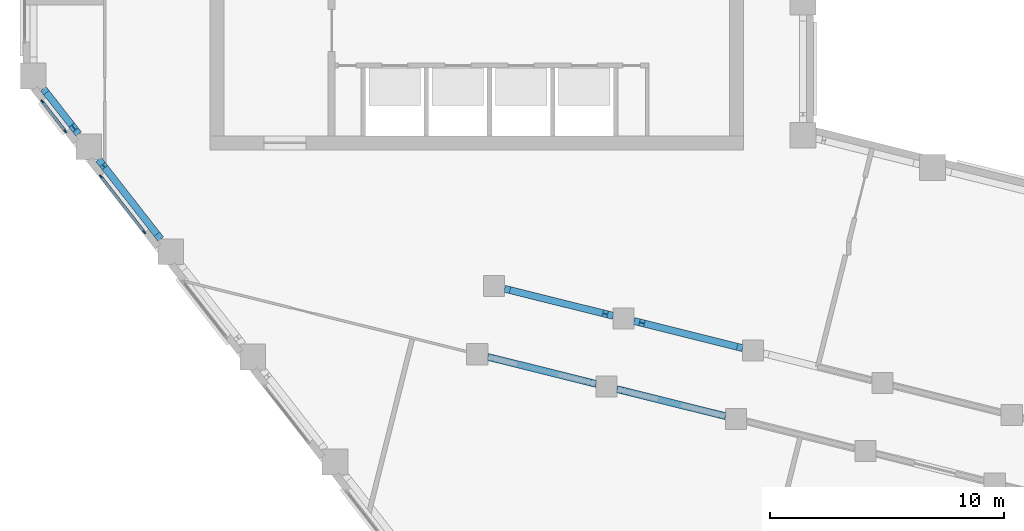
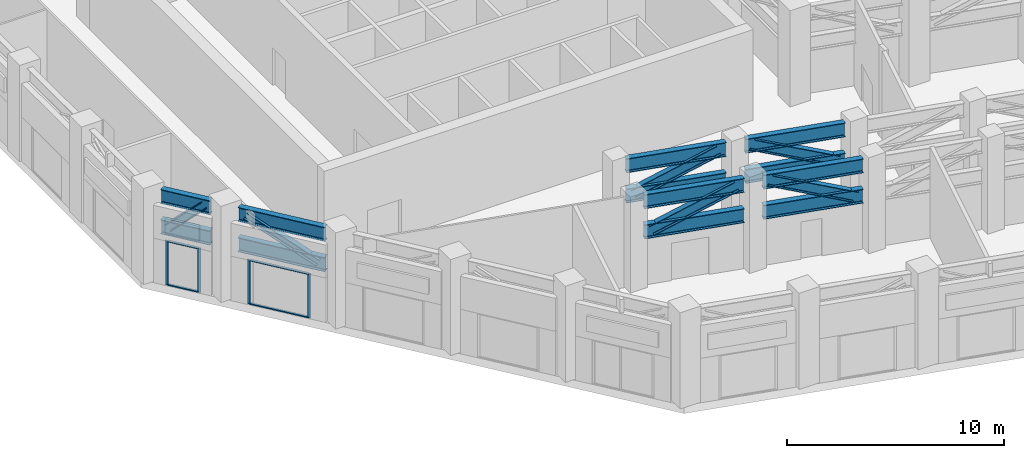
# One storey, part 3 of 21: 14 members, 12 beams, 2 elements without a shape of their own.
"""IFC4 building model written with IfcOpenShell, lengths in metres."""

from ifc_helpers import new_model, si_unit, direction, frame, origin, origin_2d, place, context, subcontext, project, spatial, rectangle, i_section, extrude, material, material_profile, profile_set, type_object, element, aggregate, save


model = new_model("IFC4")

# Units and contexts
model_context = context("Model", 3, precision=1e-05, world=origin(), true_north=direction((0.0, 1.0)))
body_context = subcontext(model_context, "Body", "Model", "MODEL_VIEW")
ifc_project = project(units=[si_unit("LENGTHUNIT", "METRE"), si_unit("AREAUNIT", "SQUARE_METRE"), si_unit("VOLUMEUNIT", "CUBIC_METRE"), si_unit("PLANEANGLEUNIT", "RADIAN"), si_unit("MASSUNIT", "GRAM", prefix="KILO")], contexts=[model_context])

# Site, building, storey
site_placement = place(None, origin())
site = spatial("IfcSite", under=ifc_project, at=site_placement, CompositionType="ELEMENT")
building_placement = place(site_placement, origin())
building = spatial("IfcBuilding", under=site, at=building_placement, Name="Meshkara Civic Tower", CompositionType="ELEMENT")
storey_placement = place(building_placement, frame((0.0, 0.0, 284.39990234375)))
storey = spatial("IfcBuildingStorey", under=building, at=storey_placement, Name="L65", CompositionType="ELEMENT", Elevation=284.39990234375)

# Beams
ifc_material_1 = material(Name="Steel S355", Category="steel")
ifc_material_profile_1 = material_profile(ifc_material_1, i_section(OverallWidth=0.300048828125, OverallDepth=0.800048828125, WebThickness=0.017578125, FlangeThickness=0.032958984375, FilletRadius=0.030029296875, at=origin_2d()))
ifc_profile_set_1 = profile_set([ifc_material_profile_1], Name="Steel S355")
beam_type_1 = type_object("IfcBeamType", Name="Belt truss chord HEB 800 S355", PredefinedType="BEAM", material=ifc_profile_set_1)
for number, where, z_axis, x_axis, name in (
    (1, (0.876708984375, 16.708984375, 4.7001953125), (0.615626666257, -0.788037948194, 0.0), (0.788037948194, 0.615626666257, 0.0), "Belt truss chord BAW00-BOW04"),
    (2, (0.876708984375, 16.708984375, 3.0), (0.615626666257, -0.788037948194, 0.0), (0.788037948194, 0.615626666257, 0.0), "Belt truss chord BAW00-BOW04"),
):
    element("IfcBeam", number, at=place(storey_placement, frame(where, z_axis=z_axis, x_axis=x_axis)), inside=storey, type_object=beam_type_1, Name=name, PredefinedType="BEAM", context=body_context, shape_type="SweptSolid", body=[
        extrude(i_section(OverallWidth=0.300048828125, OverallDepth=0.800048828125, WebThickness=0.017578125, FlangeThickness=0.032958984375, FilletRadius=0.030029296875, at=origin_2d()), origin(), (0.0, 0.0, 1.0), 2.4541015625),
    ])
for number, where, z_axis, x_axis, name in (
    (3, (3.240478515625, 13.682861328125, 4.7001953125), (0.615647336498, -0.788021799865, 0.0), (0.788021799865, 0.615647336498, 0.0), "Belt truss chord BBOW04-BOW03"),
    (4, (3.240478515625, 13.682861328125, 3.0), (0.615647336498, -0.788021799865, 0.0), (0.788021799865, 0.615647336498, 0.0), "Belt truss chord BBOW04-BOW03"),
):
    element("IfcBeam", number, at=place(storey_placement, frame(where, z_axis=z_axis, x_axis=x_axis)), inside=storey, type_object=beam_type_1, Name=name, PredefinedType="BEAM", context=body_context, shape_type="SweptSolid", body=[
        extrude(i_section(OverallWidth=0.300048828125, OverallDepth=0.800048828125, WebThickness=0.017578125, FlangeThickness=0.032958984375, FilletRadius=0.030029296875, at=origin_2d()), origin(), (0.0, 0.0, 1.0), 4.314208984375),
    ])

# Curtain wall, members
ifc_material_2 = material(Name="Tinted double glazing", Category="glass")
curtain_wall_type = type_object("IfcCurtainWallType", Name="CW SKY LOBBY BAND", PredefinedType="NOTDEFINED", material=ifc_material_2)
curtain_wall_1_placement = place(storey_placement, origin())
curtain_wall_1 = element("IfcCurtainWall", 5, at=curtain_wall_1_placement, inside=storey, type_object=curtain_wall_type, Name="Curtain wall CW2", PredefinedType="NOTDEFINED")
ifc_material_3 = material(Name="Bronze anodised aluminium", Category="aluminium")
ifc_material_profile_2 = material_profile(ifc_material_3, rectangle(XDim=0.06005859375, YDim=0.159912109375, at=origin_2d()))
ifc_profile_set_2 = profile_set([ifc_material_profile_2], Name="Bronze anodised aluminium")
member_type_1 = type_object("IfcMemberType", Name="CW MULLION 60x160", PredefinedType="MULLION", material=ifc_profile_set_2)
member_1_placement = place(storey_placement, frame((0.83154296875, 16.165283203125, 0.0), z_axis=(0.0, 0.0, 1.0), x_axis=(0.787960681571, 0.615725559237, 0.0)))
member_1 = element("IfcMember", 6, at=member_1_placement, type_object=member_type_1, Name="CW2 mullion 1", PredefinedType="MULLION", context=body_context, shape_type="SweptSolid", body=[
    extrude(rectangle(XDim=0.06005859375, YDim=0.159912109375, at=origin_2d()), origin(), (0.0, 0.0, 1.0), 2.5),
])
member_2_placement = place(storey_placement, frame((1.820556640625, 14.899658203125, 0.0), z_axis=(0.0, 0.0, 1.0), x_axis=(0.787960681571, 0.615725559237, 0.0)))
member_2 = element("IfcMember", 7, at=member_2_placement, type_object=member_type_1, Name="CW2 mullion 2", PredefinedType="MULLION", context=body_context, shape_type="SweptSolid", body=[
    extrude(rectangle(XDim=0.06005859375, YDim=0.159912109375, at=origin_2d()), origin(), (0.0, 0.0, 1.0), 2.5),
])

curtain_wall_2_placement = place(storey_placement, origin())
curtain_wall_2 = element("IfcCurtainWall", 8, at=curtain_wall_2_placement, inside=storey, type_object=curtain_wall_type, Name="Curtain wall CW2", PredefinedType="NOTDEFINED")
member_3_placement = place(storey_placement, frame((3.33837890625, 12.957275390625, 0.0), z_axis=(0.0, 0.0, 1.0), x_axis=(0.788014475653, 0.615656711294, 0.0)))
member_3 = element("IfcMember", 9, at=member_3_placement, type_object=member_type_1, Name="CW2 mullion 1", PredefinedType="MULLION", context=body_context, shape_type="SweptSolid", body=[
    extrude(rectangle(XDim=0.06005859375, YDim=0.159912109375, at=origin_2d()), origin(), (0.0, 0.0, 1.0), 2.5),
])
member_4_placement = place(storey_placement, frame((5.1875, 10.590576171875, 0.0), z_axis=(0.0, 0.0, 1.0), x_axis=(0.788014475653, 0.615656711294, 0.0)))
member_4 = element("IfcMember", 10, at=member_4_placement, type_object=member_type_1, Name="CW2 mullion 2", PredefinedType="MULLION", context=body_context, shape_type="SweptSolid", body=[
    extrude(rectangle(XDim=0.06005859375, YDim=0.159912109375, at=origin_2d()), origin(), (0.0, 0.0, 1.0), 2.5),
])

# Member
ifc_material_4 = material(Name="Bronze anodised aluminium", Category="aluminium")
ifc_material_profile_3 = material_profile(ifc_material_4, rectangle(XDim=0.1201171875, YDim=0.06005859375, at=origin_2d()))
ifc_profile_set_3 = profile_set([ifc_material_profile_3], Name="Bronze anodised aluminium")
member_type_2 = type_object("IfcMemberType", Name="CW TRANSOM 60x120", PredefinedType="USERDEFINED", material=ifc_profile_set_3)
member_5_placement = place(storey_placement, frame((0.849853515625, 16.1416015625, 0.030029296875), z_axis=(0.615797235166, -0.787904667559, 0.0), x_axis=(0.787904667559, 0.615797235166, 0.0)))
member_5 = element("IfcMember", 11, at=member_5_placement, type_object=member_type_2, Name="CW2 transom 1.1", ObjectType="TRANSOM", PredefinedType="USERDEFINED", context=body_context, shape_type="SweptSolid", body=[
    extrude(rectangle(XDim=0.1201171875, YDim=0.06005859375, at=origin_2d()), origin(), (0.0, 0.0, 1.0), 1.546142578125),
])

member_6_placement = place(storey_placement, frame((0.849853515625, 16.1416015625, 2.47021484375), z_axis=(0.615797235166, -0.787904667559, 0.0), x_axis=(0.787904667559, 0.615797235166, 0.0)))
member_6 = element("IfcMember", 12, at=member_6_placement, type_object=member_type_2, Name="CW2 transom 1.2", ObjectType="TRANSOM", PredefinedType="USERDEFINED", context=body_context, shape_type="SweptSolid", body=[
    extrude(rectangle(XDim=0.1201171875, YDim=0.06005859375, at=origin_2d()), origin(), (0.0, 0.0, 1.0), 1.546142578125),
])

aggregate(curtain_wall_1, [member_1, member_2, member_5, member_6])

member_7_placement = place(storey_placement, frame((3.35693359375, 12.933837890625, 0.030029296875), z_axis=(0.615610240098, -0.788050780271, 0.0), x_axis=(0.788050780271, 0.615610240098, 0.0)))
member_7 = element("IfcMember", 13, at=member_7_placement, type_object=member_type_2, Name="CW2 transom 1.1", ObjectType="TRANSOM", PredefinedType="USERDEFINED", context=body_context, shape_type="SweptSolid", body=[
    extrude(rectangle(XDim=0.1201171875, YDim=0.06005859375, at=origin_2d()), origin(), (0.0, 0.0, 1.0), 2.943359375),
])

member_8_placement = place(storey_placement, frame((3.35693359375, 12.933837890625, 2.47021484375), z_axis=(0.615610240098, -0.788050780271, 0.0), x_axis=(0.788050780271, 0.615610240098, 0.0)))
member_8 = element("IfcMember", 14, at=member_8_placement, type_object=member_type_2, Name="CW2 transom 1.2", ObjectType="TRANSOM", PredefinedType="USERDEFINED", context=body_context, shape_type="SweptSolid", body=[
    extrude(rectangle(XDim=0.1201171875, YDim=0.06005859375, at=origin_2d()), origin(), (0.0, 0.0, 1.0), 2.943359375),
])

aggregate(curtain_wall_2, [member_3, member_4, member_7, member_8])

# Beams
ifc_material_5 = material(Name="Steel S355", Category="steel")
ifc_material_profile_4 = material_profile(ifc_material_5, i_section(OverallWidth=0.300048828125, OverallDepth=0.7900390625, WebThickness=0.014892578125, FlangeThickness=0.028076171875, FilletRadius=0.030029296875, at=origin_2d()))
ifc_profile_set_4 = profile_set([ifc_material_profile_4], Name="Steel S355")
beam_type_2 = type_object("IfcBeamType", Name="Outrigger chord HEA 800 S355", PredefinedType="BEAM", material=ifc_profile_set_4)
for number, where, z_axis, x_axis, name in (
    (15, (19.869140625, 5.2490234375, 4.705078125), (0.970286489601, -0.241958938867, 0.0), (0.241958938867, 0.970286489601, 0.0), "Outrigger chord OSB1-SB1-00-SB1-01"),
    (16, (19.869140625, 5.2490234375, 3.005126953125), (0.970286489601, -0.241958938867, 0.0), (0.241958938867, 0.970286489601, 0.0), "Outrigger chord OSB1-SB1-00-SB1-01"),
):
    element("IfcBeam", number, at=place(storey_placement, frame(where, z_axis=z_axis, x_axis=x_axis)), inside=storey, type_object=beam_type_2, Name=name, PredefinedType="BEAM", context=body_context, shape_type="SweptSolid", body=[
        extrude(i_section(OverallWidth=0.300048828125, OverallDepth=0.7900390625, WebThickness=0.014892578125, FlangeThickness=0.028076171875, FilletRadius=0.030029296875, at=origin_2d()), origin(), (0.0, 0.0, 1.0), 4.78173828125),
    ])
for number, where, z_axis, x_axis, name in (
    (17, (25.399169921875, 3.8701171875, 4.705078125), (0.970286459332, -0.24195906025, 0.0), (0.24195906025, 0.970286459332, 0.0), "Outrigger chord OSB1-SB1-01-SB1-02"),
    (18, (25.399169921875, 3.8701171875, 3.005126953125), (0.970286459332, -0.24195906025, 0.0), (0.24195906025, 0.970286459332, 0.0), "Outrigger chord OSB1-SB1-01-SB1-02"),
):
    element("IfcBeam", number, at=place(storey_placement, frame(where, z_axis=z_axis, x_axis=x_axis)), inside=storey, type_object=beam_type_2, Name=name, PredefinedType="BEAM", context=body_context, shape_type="SweptSolid", body=[
        extrude(i_section(OverallWidth=0.300048828125, OverallDepth=0.7900390625, WebThickness=0.014892578125, FlangeThickness=0.028076171875, FilletRadius=0.030029296875, at=origin_2d()), origin(), (0.0, 0.0, 1.0), 4.78271484375),
    ])
for number, where, z_axis, x_axis, name in (
    (19, (20.593994140625, 8.159912109375, 4.705078125), (0.970301429476, -0.241899020164, 0.0), (0.241899020164, 0.970301429476, 0.0), "Outrigger chord OSB2-SB2-00-SB2-01"),
    (20, (20.593994140625, 8.159912109375, 3.005126953125), (0.970301429476, -0.241899020164, 0.0), (0.241899020164, 0.970301429476, 0.0), "Outrigger chord OSB2-SB2-00-SB2-01"),
    (21, (26.125, 6.781005859375, 4.705078125), (0.970301429476, -0.241899020164, 0.0), (0.241899020164, 0.970301429476, 0.0), "Outrigger chord OSB2-SB2-01-SB2-02"),
    (22, (26.125, 6.781005859375, 3.005126953125), (0.970301429476, -0.241899020164, 0.0), (0.241899020164, 0.970301429476, 0.0), "Outrigger chord OSB2-SB2-01-SB2-02"),
):
    element("IfcBeam", number, at=place(storey_placement, frame(where, z_axis=z_axis, x_axis=x_axis)), inside=storey, type_object=beam_type_2, Name=name, PredefinedType="BEAM", context=body_context, shape_type="SweptSolid", body=[
        extrude(i_section(OverallWidth=0.300048828125, OverallDepth=0.7900390625, WebThickness=0.014892578125, FlangeThickness=0.028076171875, FilletRadius=0.030029296875, at=origin_2d()), origin(), (0.0, 0.0, 1.0), 4.782958984375),
    ])

# Members
ifc_material_6 = material(Name="Steel S355", Category="steel")
ifc_material_profile_5 = material_profile(ifc_material_6, i_section(OverallWidth=0.300048828125, OverallDepth=0.590087890625, WebThickness=0.012939453125, FlangeThickness=0.02490234375, FilletRadius=0.027099609375, at=origin_2d()))
ifc_profile_set_5 = profile_set([ifc_material_profile_5], Name="Steel S355")
member_type_3 = type_object("IfcMemberType", Name="Truss diagonal HEA 600 S355", PredefinedType="BRACE", material=ifc_profile_set_5)
member_9_placement = place(storey_placement, frame((20.208740234375, 5.164306640625, 3.005126953125), z_axis=(0.895711913073, -0.223348211588, 0.384468132827), x_axis=(0.241944484644, 0.970290093916, 0.0)))
element("IfcMember", 23, at=member_9_placement, inside=storey, type_object=member_type_3, Name="TD-OSB1-SB1-00-SB1-01-L65", PredefinedType="BRACE", context=body_context, shape_type="SweptSolid", body=[
    extrude(i_section(OverallWidth=0.300048828125, OverallDepth=0.590087890625, WebThickness=0.012939453125, FlangeThickness=0.02490234375, FilletRadius=0.027099609375, at=origin_2d()), origin(), (0.0, 0.0, 1.0), 4.421630859375),
])
member_10_placement = place(storey_placement, frame((25.73876953125, 3.785400390625, 4.705078125), z_axis=(0.895744521292, -0.223356485465, -0.384387347575), x_axis=(0.241944630404, 0.97029005757, 0.0)))
element("IfcMember", 24, at=member_10_placement, inside=storey, type_object=member_type_3, Name="TD-OSB1-SB1-01-SB1-02-L65", PredefinedType="BRACE", context=body_context, shape_type="SweptSolid", body=[
    extrude(i_section(OverallWidth=0.300048828125, OverallDepth=0.590087890625, WebThickness=0.012939453125, FlangeThickness=0.02490234375, FilletRadius=0.027099609375, at=origin_2d()), origin(), (0.0, 0.0, 1.0), 4.422607421875),
])
for number, where, z_axis, x_axis, name in (
    (25, (20.933837890625, 8.0751953125, 3.005126953125), (0.895755564869, -0.22330403426, 0.384392086663), (0.241888331142, 0.970304094219, 0.0), "TD-OSB2-SB2-00-SB2-01-L65"),
    (26, (26.46484375, 6.6962890625, 4.705078125), (0.895755564869, -0.22330403426, -0.384392086663), (0.241888331142, 0.970304094219, 0.0), "TD-OSB2-SB2-01-SB2-02-L65"),
):
    element("IfcMember", number, at=place(storey_placement, frame(where, z_axis=z_axis, x_axis=x_axis)), inside=storey, type_object=member_type_3, Name=name, PredefinedType="BRACE", context=body_context, shape_type="SweptSolid", body=[
        extrude(i_section(OverallWidth=0.300048828125, OverallDepth=0.590087890625, WebThickness=0.012939453125, FlangeThickness=0.02490234375, FilletRadius=0.027099609375, at=origin_2d()), origin(), (0.0, 0.0, 1.0), 4.42236328125),
    ])
ifc_material_7 = material(Name="Steel S355", Category="steel")
ifc_material_profile_6 = material_profile(ifc_material_7, i_section(OverallWidth=0.300048828125, OverallDepth=0.39990234375, WebThickness=0.013427734375, FlangeThickness=0.02392578125, FilletRadius=0.027099609375, at=origin_2d()))
ifc_profile_set_6 = profile_set([ifc_material_profile_6], Name="Steel S355")
member_type_4 = type_object("IfcMemberType", Name="Truss diagonal HEB 400 S355", PredefinedType="BRACE", material=ifc_profile_set_6)
member_11_placement = place(storey_placement, frame((1.092041015625, 16.43310546875, 3.0), z_axis=(0.442038238363, -0.565864911963, 0.695987857102), x_axis=(0.788053914379, 0.615606228064, 0.0)))
element("IfcMember", 27, at=member_11_placement, inside=storey, type_object=member_type_4, Name="TD-BAW00-BOW04-L65", PredefinedType="BRACE", context=body_context, shape_type="SweptSolid", body=[
    extrude(i_section(OverallWidth=0.300048828125, OverallDepth=0.39990234375, WebThickness=0.013427734375, FlangeThickness=0.02392578125, FilletRadius=0.027099609375, at=origin_2d()), origin(), (0.0, 0.0, 1.0), 2.44287109375),
])
member_12_placement = place(storey_placement, frame((3.4560546875, 13.406982421875, 4.7001953125), z_axis=(0.557039724235, -0.713093978155, -0.425680307206), x_axis=(0.788059192975, 0.615599470734, 0.0)))
element("IfcMember", 28, at=member_12_placement, inside=storey, type_object=member_type_4, Name="TD-BBOW04-BOW03-L65", PredefinedType="BRACE", context=body_context, shape_type="SweptSolid", body=[
    extrude(i_section(OverallWidth=0.300048828125, OverallDepth=0.39990234375, WebThickness=0.013427734375, FlangeThickness=0.02392578125, FilletRadius=0.027099609375, at=origin_2d()), origin(), (0.0, 0.0, 1.0), 3.994140625),
])

save(model, "model.ifc")
